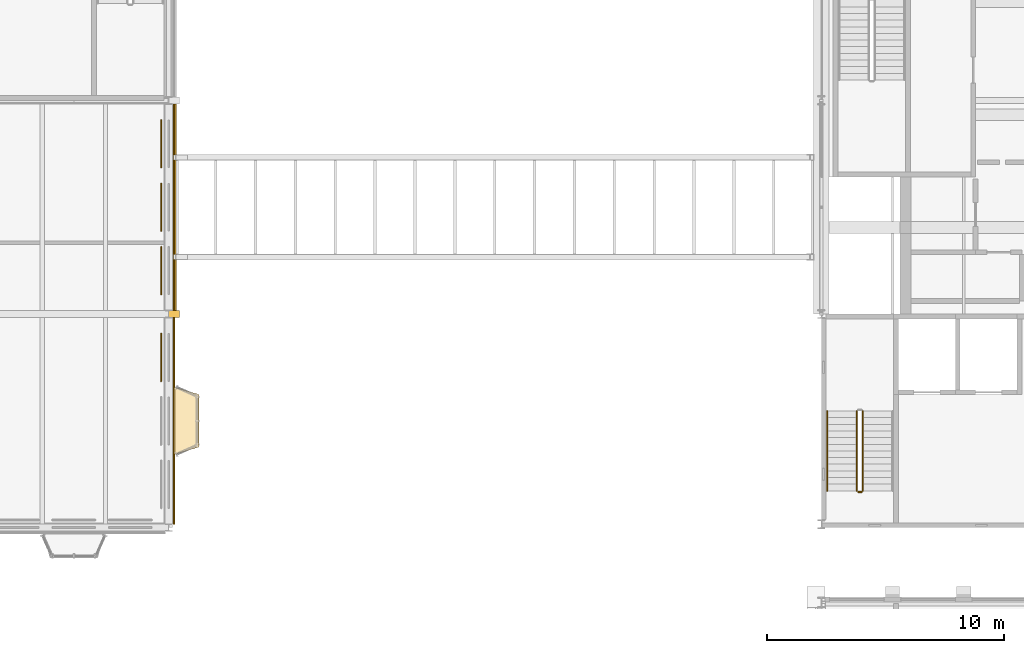
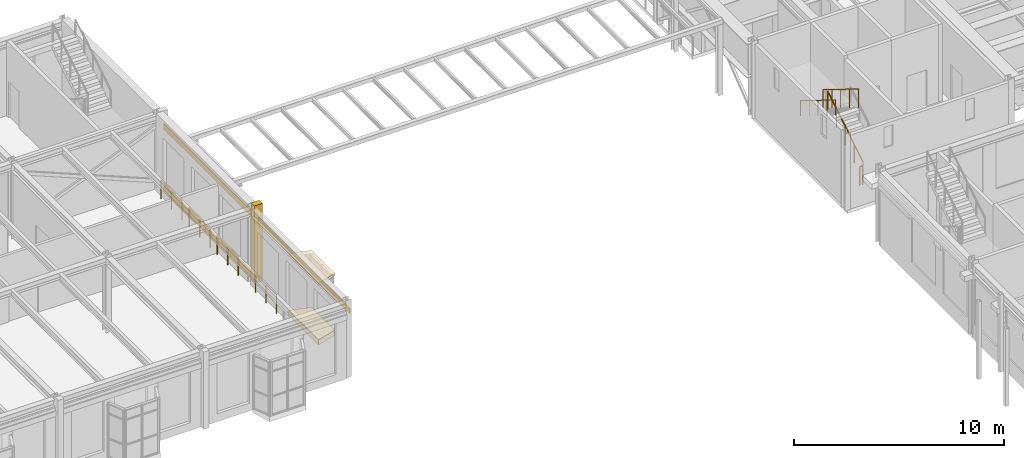
# One storey, part 141 of 153: 8 railings, 6 coverings.
"""IFC4 building model written with IfcOpenShell, lengths in metres."""

import ifcopenshell
import ifcopenshell.guid

model = None  # the IFC model being written
_history = None  # IfcOwnerHistory: only IFC2X3 demands one
_inside = {}  # id of a spatial element -> (the spatial element, [elements in it])
_under = {}  # id of a project, library or spatial element -> (it, [spatial elements below it])
_declared = {}  # id of a project -> (the project, [libraries it declares])
_typed = {}  # id of a type object -> (the type object, [elements of that type])
_made_of = {}  # id of a material, layer set ... -> (it, [elements and type objects made of it])


def new_model(schema):
    """Start an empty IFC model of exactly this schema.

    Asked for "IFC4X3", IfcOpenShell would pick the latest addendum, in which some entities
    have other attributes; the version numbers below select the first issue.
    IFC2X3 requires an IfcOwnerHistory on every rooted entity: one is made here for all.
    """
    global model, _history
    if schema == "IFC4X3":
        model = ifcopenshell.file(schema_version=(4, 3, 0, 0))
    else:
        model = ifcopenshell.file(schema=schema)
    _inside.clear()
    _under.clear()
    _declared.clear()
    _typed.clear()
    _made_of.clear()
    _history = None
    if model.schema == "IFC2X3":
        org = make("IfcOrganization", Name="unknown")
        user = make(
            "IfcPersonAndOrganization",
            ThePerson=make("IfcPerson", FamilyName="unknown"),
            TheOrganization=org,
        )
        app = make(
            "IfcApplication",
            ApplicationDeveloper=org,
            Version="unknown",
            ApplicationFullName="unknown",
            ApplicationIdentifier="unknown",
        )
        _history = make(
            "IfcOwnerHistory",
            OwningUser=user,
            OwningApplication=app,
            ChangeAction="ADDED",
            CreationDate=0,
        )
    return model


def make(cls, **values):
    """One entity of the class cls with the attributes given. An attribute that is None is left unset."""
    return model.create_entity(
        cls, **{name: value for name, value in values.items() if value is not None}
    )


def rooted(cls, **values):
    """An entity with a GlobalId (a new one), such as an element, a storey or a relation."""
    return make(cls, GlobalId=ifcopenshell.guid.new(), OwnerHistory=_history, **values)


def si_unit(unit_type, name, prefix=None):
    """IfcSIUnit, for example si_unit("LENGTHUNIT", "METRE", prefix="MILLI")."""
    return make("IfcSIUnit", UnitType=unit_type, Prefix=prefix, Name=name)


def assignment(units):
    """IfcUnitAssignment: the units of a project."""
    return None if units is None else make("IfcUnitAssignment", Units=units)


def point(xyz):
    """IfcCartesianPoint."""
    return None if xyz is None else make("IfcCartesianPoint", Coordinates=xyz)


def direction(xyz):
    """IfcDirection."""
    return None if xyz is None else make("IfcDirection", DirectionRatios=xyz)


def frame(location, z_axis=None, x_axis=None):
    """IfcAxis2Placement3D, a coordinate frame: its origin and axes. An axis left out is left unset."""
    return make(
        "IfcAxis2Placement3D",
        Location=point(location),
        Axis=direction(z_axis),
        RefDirection=direction(x_axis),
    )


def frame_2d(location, x_axis=None):
    """IfcAxis2Placement2D, a coordinate frame in the plane: its origin and x axis."""
    return make(
        "IfcAxis2Placement2D", Location=point(location), RefDirection=direction(x_axis)
    )


def origin():
    """The frame at (0, 0, 0) with its axes left unset."""
    return frame((0.0, 0.0, 0.0))


def origin_2d():
    """The frame at (0, 0) in the plane with its x axis left unset."""
    return frame_2d((0.0, 0.0))


def place(relative_to, where):
    """IfcLocalPlacement: puts the frame where relative to a parent placement (None: the world)."""
    return make(
        "IfcLocalPlacement", PlacementRelTo=relative_to, RelativePlacement=where
    )


def context(
    kind, dimensions, precision=None, world=None, true_north=None, identifier=None
):
    """IfcGeometricRepresentationContext, for example the 3D "Model" context."""
    return make(
        "IfcGeometricRepresentationContext",
        ContextIdentifier=identifier,
        ContextType=kind,
        CoordinateSpaceDimension=dimensions,
        Precision=precision,
        WorldCoordinateSystem=world,
        TrueNorth=true_north,
    )


def subcontext(parent, identifier, kind, view, scale=None):
    """IfcGeometricRepresentationSubContext, for example "Body" below "Model"."""
    return make(
        "IfcGeometricRepresentationSubContext",
        ContextIdentifier=identifier,
        ContextType=kind,
        ParentContext=parent,
        TargetScale=scale,
        TargetView=view,
    )


def project(units=None, contexts=None):
    """IfcProject with its units and contexts."""
    return rooted(
        "IfcProject",
        Name="project",
        RepresentationContexts=contexts,
        UnitsInContext=assignment(units),
    )


def spatial(cls, under=None, at=None, **own):
    """A site, building, storey or space (cls), placed at a placement, below another one or the project."""
    s = rooted(cls, ObjectPlacement=at, **own)
    if under is not None:
        _under.setdefault(under.id(), (under, []))[1].append(s)
    return s


def polyline(points):
    """IfcPolyline through the points."""
    return make("IfcPolyline", Points=[point(p) for p in points])


def profile(cls, at=None, kind="AREA", **sizes):
    """A parametric profile (cls). Its sizes go by their IFC names, for example OverallWidth=200.0."""
    return make(cls, ProfileType=kind, Position=at, **sizes)


def rectangle(**sizes):
    """IfcRectangleProfileDef."""
    return profile("IfcRectangleProfileDef", **sizes)


def circle(**sizes):
    """IfcCircleProfileDef."""
    return profile("IfcCircleProfileDef", **sizes)


def outline(outer, holes=None, kind="AREA"):
    """IfcArbitraryClosedProfileDef: a profile drawn as a closed curve; with holes, ...WithVoids."""
    if holes is None:
        return make("IfcArbitraryClosedProfileDef", ProfileType=kind, OuterCurve=outer)
    return make(
        "IfcArbitraryProfileDefWithVoids",
        ProfileType=kind,
        OuterCurve=outer,
        InnerCurves=holes,
    )


def extrude(swept, where, along, depth):
    """IfcExtrudedAreaSolid: the profile swept, set in the frame where, extruded along a direction by depth."""
    return make(
        "IfcExtrudedAreaSolid",
        SweptArea=swept,
        Position=where,
        ExtrudedDirection=direction(along),
        Depth=depth,
    )


def shape(context_of_items, identifier, shape_type, items):
    """IfcShapeRepresentation: the items that make up one representation, for example the "Body"."""
    return make(
        "IfcShapeRepresentation",
        ContextOfItems=context_of_items,
        RepresentationIdentifier=identifier,
        RepresentationType=shape_type,
        Items=items,
    )


def material(Name=None, Category=None):
    """IfcMaterial."""
    return make("IfcMaterial", Name=Name, Category=Category)


def layer(
    of_material, thickness, ventilated=None, Name=None, Category=None, Priority=None
):
    """IfcMaterialLayer: one layer of a wall or slab, of a material (None: an air gap)."""
    return make(
        "IfcMaterialLayer",
        Material=of_material,
        LayerThickness=thickness,
        IsVentilated=ventilated,
        Name=Name,
        Category=Category,
        Priority=Priority,
    )


def layer_set(layers, Name=None):
    """IfcMaterialLayerSet."""
    return make("IfcMaterialLayerSet", MaterialLayers=layers, LayerSetName=Name)


def made_of(thing, what):
    """Note that an element or type object is made of a material, layer set ...; save() writes the relation."""
    if what is not None:
        _made_of.setdefault(what.id(), (what, []))[1].append(thing)
    return thing


def type_object(cls, material=None, **own):
    """A type object (cls), such as IfcWallType, which elements share."""
    return made_of(rooted(cls, **own), material)


def element(
    cls,
    number,
    at=None,
    inside=None,
    cuts=None,
    type_object=None,
    material=None,
    context=None,
    identifier="Body",
    shape_type=None,
    held_by="IfcProductDefinitionShape",
    body=None,
    shapes=None,
    **own,
):
    """One element of the class cls, such as IfcWall. Its Tag is "e" and its number.

    at: its placement. inside: the storey or other place that contains it. cuts: it is an
    opening in that element (IfcRelVoidsElement). A single representation is given by context,
    identifier, shape_type and body (its items); several are given by shapes. held_by: the class
    of the entity that holds the representations. save() writes the other relations.
    """
    e = rooted(cls, Tag="e%d" % number, ObjectPlacement=at, **own)
    if body is not None:
        shapes = [shape(context, identifier, shape_type, body)]
    if shapes is not None:
        e.Representation = make(held_by, Representations=shapes)
    if inside is not None:
        _inside.setdefault(inside.id(), (inside, []))[1].append(e)
    if cuts is not None:
        rooted(
            "IfcRelVoidsElement", RelatingBuildingElement=cuts, RelatedOpeningElement=e
        )
    if type_object is not None:
        _typed.setdefault(type_object.id(), (type_object, []))[1].append(e)
    return made_of(e, material)


def aggregate(whole, parts):
    """IfcRelAggregates: a whole, such as a stair, and the parts it consists of."""
    return rooted("IfcRelAggregates", RelatingObject=whole, RelatedObjects=parts)


def save(model, path):
    """Write the relations noted so far, then the file.

    IfcRelAggregates (storeys below a building ...), IfcRelContainedInSpatialStructure (elements
    in a storey), IfcRelDefinesByType, IfcRelAssociatesMaterial and IfcRelDeclares: one each for
    every whole, place, type object, material and project.
    """
    for whole, parts in _under.values():
        aggregate(whole, parts)
    for where, things in _inside.values():
        rooted(
            "IfcRelContainedInSpatialStructure",
            RelatedElements=things,
            RelatingStructure=where,
        )
    for kind, things in _typed.values():
        rooted("IfcRelDefinesByType", RelatedObjects=things, RelatingType=kind)
    for what, things in _made_of.values():
        rooted("IfcRelAssociatesMaterial", RelatedObjects=things, RelatingMaterial=what)
    for by, libraries in _declared.values():
        rooted("IfcRelDeclares", RelatingContext=by, RelatedDefinitions=libraries)
    model.write(path)


model = new_model("IFC4")

# Units and contexts
model_context = context("Model", 3, precision=1e-05, world=origin(), true_north=direction((0.0, 1.0)))
body_context = subcontext(model_context, "Body", "Model", "MODEL_VIEW")
ifc_project = project(units=[si_unit("LENGTHUNIT", "METRE"), si_unit("AREAUNIT", "SQUARE_METRE"), si_unit("VOLUMEUNIT", "CUBIC_METRE"), si_unit("PLANEANGLEUNIT", "RADIAN"), si_unit("MASSUNIT", "GRAM", prefix="KILO")], contexts=[model_context])

# Site, building, storey
site_placement = place(None, origin())
site = spatial("IfcSite", under=ifc_project, at=site_placement, CompositionType="ELEMENT")
building_placement = place(site_placement, origin())
building = spatial("IfcBuilding", under=site, at=building_placement, Name="Kallimachos Central Library", CompositionType="ELEMENT")
storey_placement = place(building_placement, frame((0.0, 0.0, 5.39990234375)))
storey = spatial("IfcBuildingStorey", under=building, at=storey_placement, Name="L01", CompositionType="ELEMENT", Elevation=5.39990234375)

# Coverings
ifc_material_1 = material(Name="Pentelic marble pilaster", Category="masonry")
ifc_layer_1 = layer(ifc_material_1, 0.25)
ifc_layer_set_1 = layer_set([ifc_layer_1], Name="Stone pilaster 250")
covering_type_1 = type_object("IfcCoveringType", Name="Stone pilaster 250", PredefinedType="CLADDING", material=ifc_layer_set_1)
covering_1_placement = place(storey_placement, frame((38.22509765625, 96.0, 0.0), z_axis=(0.0, 0.0, 1.0), x_axis=(1.0, 0.0, 0.0)))
element("IfcCovering", 1, at=covering_1_placement, inside=storey, type_object=covering_type_1, Name="Stone pilaster 250 -L01-016", PredefinedType="CLADDING", context=body_context, shape_type="SweptSolid", body=[
    extrude(rectangle(XDim=0.449951171875, YDim=0.300048828125, at=origin_2d()), origin(), (0.0, 0.0, 1.0), 4.5),
])
ifc_material_2 = material(Name="Pentelic marble string course", Category="masonry")
ifc_layer_2 = layer(ifc_material_2, 0.1201171875)
ifc_layer_set_2 = layer_set([ifc_layer_2], Name="Stone string course 300")
covering_type_2 = type_object("IfcCoveringType", Name="Stone string course 300", PredefinedType="MOLDING", material=ifc_layer_set_2)
covering_2_placement = place(storey_placement, frame((38.260009765625, 100.5, -0.14990234375), z_axis=(0.0, 0.0, 1.0), x_axis=(1.0, 0.0, 0.0)))
element("IfcCovering", 2, at=covering_2_placement, inside=storey, type_object=covering_type_2, Name="Stone string course 300 -L01-017", PredefinedType="MOLDING", context=body_context, shape_type="SweptSolid", body=[
    extrude(rectangle(XDim=0.1201171875, YDim=8.699951171875, at=origin_2d()), origin(), (0.0, 0.0, 1.0), 0.300048828125),
])
ifc_material_3 = material(Name="Lead-coated copper sheet")
ifc_layer_3 = layer(ifc_material_3, 0.14990234375)
ifc_layer_set_3 = layer_set([ifc_layer_3], Name="Tribune bay roof cap 150")
covering_type_3 = type_object("IfcCoveringType", Name="Tribune bay roof cap 150", PredefinedType="ROOFING", material=ifc_layer_set_3)
covering_3_placement = place(storey_placement, frame((0.0, 0.0, 3.300048828125)))
element("IfcCovering", 3, at=covering_3_placement, inside=storey, type_object=covering_type_3, Name="Tribune bay roof cap", PredefinedType="ROOFING", context=body_context, shape_type="SweptSolid", body=[
    extrude(outline(polyline([(38.199951171875, 90.074951171875), (38.199951171875, 92.925048828125), (39.280029296875, 92.60498046875), (39.280029296875, 90.39501953125), (38.199951171875, 90.074951171875)])), origin(), (0.0, 0.0, 1.0), 0.150146484375),
])
ifc_material_4 = material(Name="Pentelic marble tribune base", Category="masonry")
ifc_layer_4 = layer(ifc_material_4, 0.300048828125)
ifc_layer_set_4 = layer_set([ifc_layer_4], Name="Tribune bay stone base 300")
covering_type_4 = type_object("IfcCoveringType", Name="Tribune bay stone base 300", PredefinedType="MOLDING", material=ifc_layer_set_4)
covering_4_placement = place(storey_placement, frame((0.0, 0.0, -0.14990234375)))
element("IfcCovering", 4, at=covering_4_placement, inside=storey, type_object=covering_type_4, Name="Tribune bay base", PredefinedType="MOLDING", context=body_context, shape_type="SweptSolid", body=[
    extrude(outline(polyline([(38.199951171875, 90.074951171875), (38.199951171875, 92.925048828125), (39.280029296875, 92.60498046875), (39.280029296875, 90.39501953125), (38.199951171875, 90.074951171875)])), origin(), (0.0, 0.0, 1.0), 0.300048828125),
])

# Railings
ifc_material_5 = material(Name="Wrought iron")
railing_type_1 = type_object("IfcRailingType", Name="Window guard 1100", PredefinedType="GUARDRAIL", material=ifc_material_5)
for number, where, name in (
    (5, (37.679931640625, 93.175048828125, 0.0), "Window guard"),
    (6, (37.679931640625, 96.824951171875, 0.0), "Window guard"),
    (7, (37.679931640625, 99.5, 0.0), "Window guard"),
    (8, (37.679931640625, 102.175048828125, 0.0), "Window guard"),
):
    element("IfcRailing", number, at=place(storey_placement, frame(where)), inside=storey, type_object=railing_type_1, Name=name, PredefinedType="GUARDRAIL", context=body_context, shape_type="SweptSolid", body=[
        extrude(circle(Radius=0.02392578125, at=origin_2d()), frame((0.0, 0.0, 1.076171875), z_axis=(0.0, 1.0, 0.0), x_axis=(-1.0, 0.0, 0.0)), (0.0, 0.0, 1.0), 2.0),
        extrude(circle(Radius=0.02099609375, at=origin_2d()), origin(), (0.0, 0.0, 1.0), 1.052001953125),
        extrude(circle(Radius=0.02099609375, at=origin_2d()), frame((0.0, 1.0, 0.0)), (0.0, 0.0, 1.0), 1.052001953125),
        extrude(circle(Radius=0.02099609375, at=origin_2d()), frame((0.0, 2.0, 0.0)), (0.0, 0.0, 1.0), 1.052001953125),
    ])

# Coverings
ifc_material_6 = material(Name="Pentelic marble", Category="masonry")
ifc_layer_5 = layer(ifc_material_6, 0.06005859375)
ifc_layer_set_5 = layer_set([ifc_layer_5], Name="Window head band")
covering_type_5 = type_object("IfcCoveringType", Name="Window head band", PredefinedType="MOLDING", material=ifc_layer_set_5)
for number, where, z_axis, x_axis, name in (
    (9, (38.22998046875, 91.5, 3.4501953125), (0.0, 0.0, 1.0), (1.0, 0.0, 0.0), "head band E87"),
    (10, (38.22998046875, 100.5, 3.4501953125), (0.0, 0.0, 1.0), (1.0, 0.0, 0.0), "head band E96"),
):
    element("IfcCovering", number, at=place(storey_placement, frame(where, z_axis=z_axis, x_axis=x_axis)), inside=storey, type_object=covering_type_5, Name=name, PredefinedType="MOLDING", context=body_context, shape_type="SweptSolid", body=[
        extrude(rectangle(XDim=0.06005859375, YDim=8.699951171875, at=origin_2d()), origin(), (0.0, 0.0, 1.0), 0.300048828125),
    ])

# Railings
ifc_material_7 = material(Name="Wrought iron")
railing_type_2 = type_object("IfcRailingType", Name="Wrought-iron handrail 900", PredefinedType="HANDRAIL", material=ifc_material_7)
railing_1_placement = place(storey_placement, frame((65.75, 91.909912109375, 2.423095703125)))
element("IfcRailing", 11, at=railing_1_placement, inside=storey, type_object=railing_type_2, Name="L01 ST1 stair handrail 2", PredefinedType="HANDRAIL", context=body_context, shape_type="SweptSolid", body=[
    extrude(circle(Radius=0.02392578125, at=origin_2d()), frame((0.0, 0.0, 0.8759765625), z_axis=(0.0, -0.850606129759, 0.525803396734), x_axis=(1.0, 0.0, 0.0)), (0.0, 0.0, 1.0), 3.949951171875),
    extrude(circle(Radius=0.02099609375, at=origin_2d()), origin(), (0.0, 0.0, 1.0), 0.851806640625),
    extrude(circle(Radius=0.02099609375, at=origin_2d()), frame((0.0, -0.83984375, 0.519287109375)), (0.0, 0.0, 1.0), 0.851806640625),
    extrude(circle(Radius=0.02099609375, at=origin_2d()), frame((0.0, -1.679931640625, 1.03857421875)), (0.0, 0.0, 1.0), 0.851806640625),
    extrude(circle(Radius=0.02099609375, at=origin_2d()), frame((0.0, -2.52001953125, 1.5576171875)), (0.0, 0.0, 1.0), 0.851806640625),
    extrude(circle(Radius=0.02099609375, at=origin_2d()), frame((0.0, -3.35986328125, 2.076904296875)), (0.0, 0.0, 1.0), 0.851806640625),
])
ifc_material_8 = material(Name="Wrought iron")
railing_type_3 = type_object("IfcRailingType", Name="Wrought-iron stair guard 1100", PredefinedType="GUARDRAIL", material=ifc_material_8)
railing_2_placement = place(storey_placement, frame((67.25, 88.550048828125, 0.173095703125)))
element("IfcRailing", 12, at=railing_2_placement, inside=storey, type_object=railing_type_3, Name="L01 ST1 stair guard 1", PredefinedType="GUARDRAIL", context=body_context, shape_type="SweptSolid", body=[
    extrude(circle(Radius=0.02392578125, at=origin_2d()), frame((0.0, 0.0, 1.076171875), z_axis=(0.0, 0.850606129759, 0.525803396734), x_axis=(-1.0, 0.0, 0.0)), (0.0, 0.0, 1.0), 3.949951171875),
    extrude(circle(Radius=0.02099609375, at=origin_2d()), origin(), (0.0, 0.0, 1.0), 1.052001953125),
    extrude(circle(Radius=0.02099609375, at=origin_2d()), frame((0.0, 0.83984375, 0.519287109375)), (0.0, 0.0, 1.0), 1.052001953125),
    extrude(circle(Radius=0.02099609375, at=origin_2d()), frame((0.0, 1.679931640625, 1.03857421875)), (0.0, 0.0, 1.0), 1.052001953125),
    extrude(circle(Radius=0.02099609375, at=origin_2d()), frame((0.0, 2.52001953125, 1.5576171875)), (0.0, 0.0, 1.0), 1.052001953125),
    extrude(circle(Radius=0.02099609375, at=origin_2d()), frame((0.0, 3.35986328125, 2.076904296875)), (0.0, 0.0, 1.0), 1.052001953125),
])
railing_3_placement = place(storey_placement, frame((67.0, 91.909912109375, 2.423095703125)))
element("IfcRailing", 13, at=railing_3_placement, inside=storey, type_object=railing_type_3, Name="L01 ST1 stair guard 3", PredefinedType="GUARDRAIL", context=body_context, shape_type="SweptSolid", body=[
    extrude(circle(Radius=0.02392578125, at=origin_2d()), frame((0.0, 0.0, 1.076171875), z_axis=(0.0, -0.850606129759, 0.525803396734), x_axis=(1.0, 0.0, 0.0)), (0.0, 0.0, 1.0), 3.949951171875),
    extrude(circle(Radius=0.02099609375, at=origin_2d()), origin(), (0.0, 0.0, 1.0), 1.052001953125),
    extrude(circle(Radius=0.02099609375, at=origin_2d()), frame((0.0, -0.83984375, 0.519287109375)), (0.0, 0.0, 1.0), 1.052001953125),
    extrude(circle(Radius=0.02099609375, at=origin_2d()), frame((0.0, -1.679931640625, 1.03857421875)), (0.0, 0.0, 1.0), 1.052001953125),
    extrude(circle(Radius=0.02099609375, at=origin_2d()), frame((0.0, -2.52001953125, 1.5576171875)), (0.0, 0.0, 1.0), 1.052001953125),
    extrude(circle(Radius=0.02099609375, at=origin_2d()), frame((0.0, -3.35986328125, 2.076904296875)), (0.0, 0.0, 1.0), 1.052001953125),
])
railing_4_placement = place(storey_placement, frame((67.199951171875, 88.5, 0.0)))
element("IfcRailing", 14, at=railing_4_placement, inside=storey, type_object=railing_type_3, Name="L01 ST1 stair guard 4", PredefinedType="GUARDRAIL", context=body_context, shape_type="SweptSolid", body=[
    extrude(circle(Radius=0.02392578125, at=origin_2d()), frame((0.0, 0.0, 1.076171875), z_axis=(-1.0, 0.0, 0.0), x_axis=(0.0, -1.0, 0.0)), (0.0, 0.0, 1.0), 0.14990234375),
    extrude(circle(Radius=0.02099609375, at=origin_2d()), origin(), (0.0, 0.0, 1.0), 1.052001953125),
    extrude(circle(Radius=0.02099609375, at=origin_2d()), frame((-0.14990234375, 0.0, 0.0)), (0.0, 0.0, 1.0), 1.052001953125),
])

save(model, "model.ifc")
